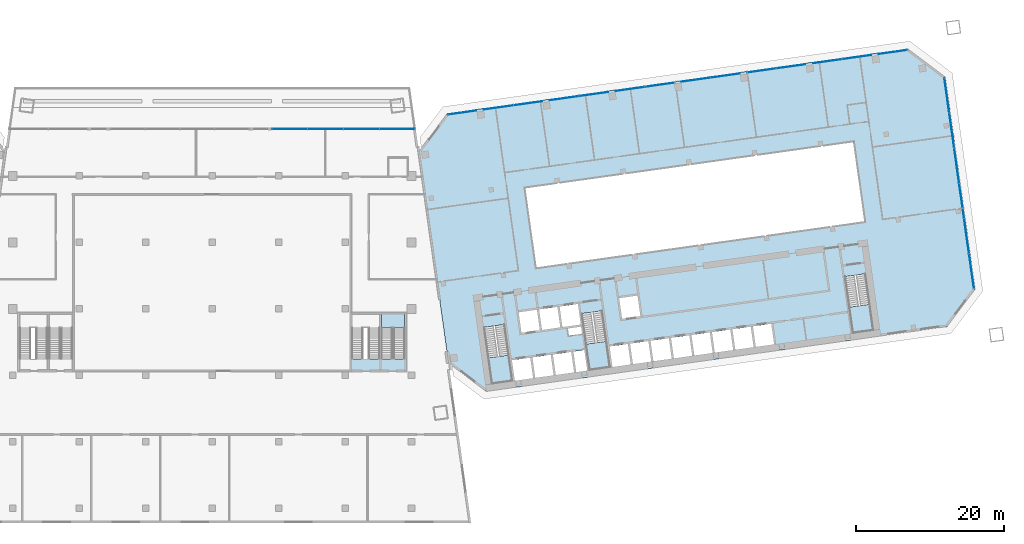
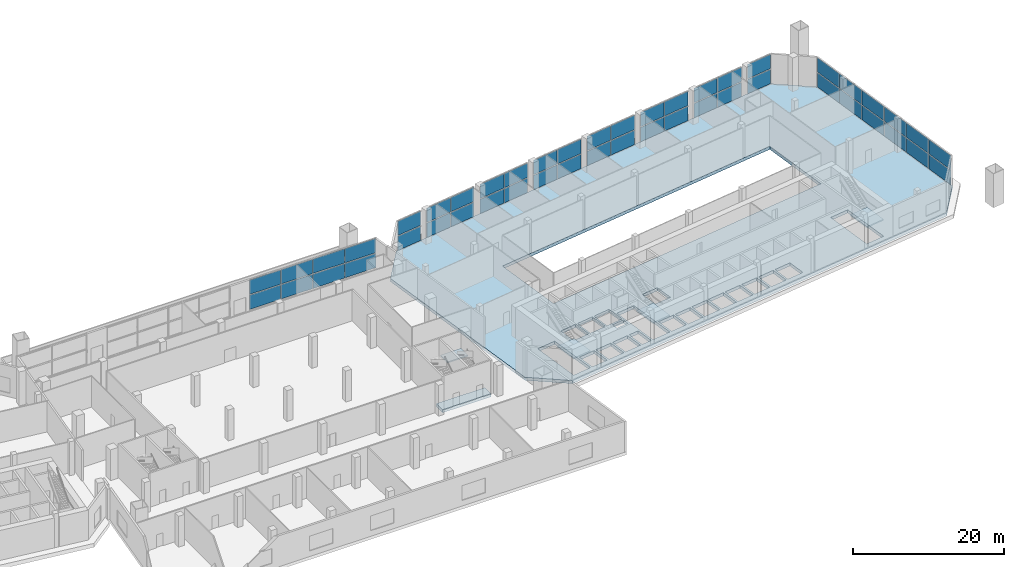
# One storey, part 9 of 23: 48 plates, 6 slabs, 7 elements without a shape of their own.
"""IFC4 building model written with IfcOpenShell, lengths in metres."""

from ifc_helpers import new_model, si_unit, direction, frame, origin, origin_2d, place, context, subcontext, project, spatial, polyline, rectangle, outline, extrude, material, layer, layer_set, type_object, element, aggregate, save


model = new_model("IFC4")

# Units and contexts
model_context = context("Model", 3, precision=1e-05, world=origin(), true_north=direction((0.0, 1.0)))
body_context = subcontext(model_context, "Body", "Model", "MODEL_VIEW")
ifc_project = project(units=[si_unit("LENGTHUNIT", "METRE"), si_unit("AREAUNIT", "SQUARE_METRE"), si_unit("VOLUMEUNIT", "CUBIC_METRE"), si_unit("PLANEANGLEUNIT", "RADIAN"), si_unit("MASSUNIT", "GRAM", prefix="KILO")], contexts=[model_context])

# Site, building, storey
site_placement = place(None, origin())
site = spatial("IfcSite", under=ifc_project, at=site_placement, CompositionType="ELEMENT")
building_placement = place(site_placement, origin())
building = spatial("IfcBuilding", under=site, at=building_placement, Name="Mirante Cascada Hotel Towers", CompositionType="ELEMENT")
storey_placement = place(building_placement, frame((0.0, 0.0, 23.5)))
storey = spatial("IfcBuildingStorey", under=building, at=storey_placement, Name="L03", CompositionType="ELEMENT", Elevation=23.5)

# Curtain wall, plates
ifc_material_1 = material(Name="Aluminium mullion and transom frame with clear laminated glass", Category="aluminium")
curtain_wall_type = type_object("IfcCurtainWallType", Name="Podium curtain wall ECW3", PredefinedType="NOTDEFINED", material=ifc_material_1)
curtain_wall_1_placement = place(storey_placement, origin())
curtain_wall_1 = element("IfcCurtainWall", 1, at=curtain_wall_1_placement, inside=storey, type_object=curtain_wall_type, Name="Front podium glazing T2 L03", PredefinedType="NOTDEFINED")
ifc_material_2 = material(Name="Clear laminated glass", Category="glass")
ifc_layer_1 = layer(ifc_material_2, 0.04)
ifc_layer_set_1 = layer_set([ifc_layer_1], Name="ECW3 glass panel 40")
plate_type = type_object("IfcPlateType", Name="ECW3 glass panel 40", PredefinedType="CURTAIN_PANEL", material=ifc_layer_set_1)
plate_1_placement = place(storey_placement, frame((92.1787, 25.7739, 0.12), z_axis=(0.0, 0.0, 1.0), x_axis=(-0.9902681, -0.1391731, 0.0)))
plate_1 = element("IfcPlate", 2, at=plate_1_placement, type_object=plate_type, Name="ECW3 panel 1", PredefinedType="CURTAIN_PANEL", context=body_context, shape_type="SweptSolid", body=[
    extrude(rectangle(XDim=3.8379, YDim=0.04, at=origin_2d()), origin(), (0.0, 0.0, 1.0), 2.32),
])
plate_2_placement = place(storey_placement, frame((92.1787, 25.7739, 2.56), z_axis=(0.0, 0.0, 1.0), x_axis=(-0.9902681, -0.1391731, 0.0)))
plate_2 = element("IfcPlate", 3, at=plate_2_placement, type_object=plate_type, Name="ECW3 panel 1", PredefinedType="CURTAIN_PANEL", context=body_context, shape_type="SweptSolid", body=[
    extrude(rectangle(XDim=3.8379, YDim=0.04, at=origin_2d()), origin(), (0.0, 0.0, 1.0), 2.32),
])
plate_3_placement = place(storey_placement, frame((87.2757, 25.0848, 0.12), z_axis=(0.0, 0.0, 1.0), x_axis=(-0.9902681, -0.1391731, 0.0)))
plate_3 = element("IfcPlate", 4, at=plate_3_placement, type_object=plate_type, Name="ECW3 panel 2", PredefinedType="CURTAIN_PANEL", context=body_context, shape_type="SweptSolid", body=[
    extrude(rectangle(XDim=3.9844, YDim=0.04, at=origin_2d()), origin(), (0.0, 0.0, 1.0), 2.32),
])
plate_4_placement = place(storey_placement, frame((87.2757, 25.0848, 2.56), z_axis=(0.0, 0.0, 1.0), x_axis=(-0.9902681, -0.1391731, 0.0)))
plate_4 = element("IfcPlate", 5, at=plate_4_placement, type_object=plate_type, Name="ECW3 panel 2", PredefinedType="CURTAIN_PANEL", context=body_context, shape_type="SweptSolid", body=[
    extrude(rectangle(XDim=3.9844, YDim=0.04, at=origin_2d()), origin(), (0.0, 0.0, 1.0), 2.32),
])
plate_5_placement = place(storey_placement, frame((83.2949, 24.5254, 0.12), z_axis=(0.0, 0.0, 1.0), x_axis=(-0.9902681, -0.1391731, 0.0)))
plate_5 = element("IfcPlate", 6, at=plate_5_placement, type_object=plate_type, Name="ECW3 panel 3", PredefinedType="CURTAIN_PANEL", context=body_context, shape_type="SweptSolid", body=[
    extrude(rectangle(XDim=3.8956, YDim=0.04, at=origin_2d()), origin(), (0.0, 0.0, 1.0), 2.32),
])
plate_6_placement = place(storey_placement, frame((83.2949, 24.5254, 2.56), z_axis=(0.0, 0.0, 1.0), x_axis=(-0.9902681, -0.1391731, 0.0)))
plate_6 = element("IfcPlate", 7, at=plate_6_placement, type_object=plate_type, Name="ECW3 panel 3", PredefinedType="CURTAIN_PANEL", context=body_context, shape_type="SweptSolid", body=[
    extrude(rectangle(XDim=3.8956, YDim=0.04, at=origin_2d()), origin(), (0.0, 0.0, 1.0), 2.32),
])
plate_7_placement = place(storey_placement, frame((78.3721, 23.8335, 0.12), z_axis=(0.0, 0.0, 1.0), x_axis=(-0.9902681, -0.1391731, 0.0)))
plate_7 = element("IfcPlate", 8, at=plate_7_placement, type_object=plate_type, Name="ECW3 panel 4", PredefinedType="CURTAIN_PANEL", context=body_context, shape_type="SweptSolid", body=[
    extrude(rectangle(XDim=3.9666, YDim=0.04, at=origin_2d()), origin(), (0.0, 0.0, 1.0), 2.32),
])
plate_8_placement = place(storey_placement, frame((78.3721, 23.8335, 2.56), z_axis=(0.0, 0.0, 1.0), x_axis=(-0.9902681, -0.1391731, 0.0)))
plate_8 = element("IfcPlate", 9, at=plate_8_placement, type_object=plate_type, Name="ECW3 panel 4", PredefinedType="CURTAIN_PANEL", context=body_context, shape_type="SweptSolid", body=[
    extrude(rectangle(XDim=3.9666, YDim=0.04, at=origin_2d()), origin(), (0.0, 0.0, 1.0), 2.32),
])
plate_9_placement = place(storey_placement, frame((74.3912, 23.274, 0.12), z_axis=(0.0, 0.0, 1.0), x_axis=(-0.9902681, -0.1391731, 0.0)))
plate_9 = element("IfcPlate", 10, at=plate_9_placement, type_object=plate_type, Name="ECW3 panel 5", PredefinedType="CURTAIN_PANEL", context=body_context, shape_type="SweptSolid", body=[
    extrude(rectangle(XDim=3.9134, YDim=0.04, at=origin_2d()), origin(), (0.0, 0.0, 1.0), 2.32),
])
plate_10_placement = place(storey_placement, frame((74.3912, 23.274, 2.56), z_axis=(0.0, 0.0, 1.0), x_axis=(-0.9902681, -0.1391731, 0.0)))
plate_10 = element("IfcPlate", 11, at=plate_10_placement, type_object=plate_type, Name="ECW3 panel 5", PredefinedType="CURTAIN_PANEL", context=body_context, shape_type="SweptSolid", body=[
    extrude(rectangle(XDim=3.9134, YDim=0.04, at=origin_2d()), origin(), (0.0, 0.0, 1.0), 2.32),
])
plate_11_placement = place(storey_placement, frame((69.4685, 22.5822, 0.12), z_axis=(0.0, 0.0, 1.0), x_axis=(-0.9902681, -0.1391731, 0.0)))
plate_11 = element("IfcPlate", 12, at=plate_11_placement, type_object=plate_type, Name="ECW3 panel 6", PredefinedType="CURTAIN_PANEL", context=body_context, shape_type="SweptSolid", body=[
    extrude(rectangle(XDim=3.9489, YDim=0.04, at=origin_2d()), origin(), (0.0, 0.0, 1.0), 2.32),
])
plate_12_placement = place(storey_placement, frame((69.4685, 22.5822, 2.56), z_axis=(0.0, 0.0, 1.0), x_axis=(-0.9902681, -0.1391731, 0.0)))
plate_12 = element("IfcPlate", 13, at=plate_12_placement, type_object=plate_type, Name="ECW3 panel 6", PredefinedType="CURTAIN_PANEL", context=body_context, shape_type="SweptSolid", body=[
    extrude(rectangle(XDim=3.9489, YDim=0.04, at=origin_2d()), origin(), (0.0, 0.0, 1.0), 2.32),
])
plate_13_placement = place(storey_placement, frame((65.4876, 22.0227, 0.12), z_axis=(0.0, 0.0, 1.0), x_axis=(-0.9902681, -0.1391731, 0.0)))
plate_13 = element("IfcPlate", 14, at=plate_13_placement, type_object=plate_type, Name="ECW3 panel 7", PredefinedType="CURTAIN_PANEL", context=body_context, shape_type="SweptSolid", body=[
    extrude(rectangle(XDim=3.9311, YDim=0.04, at=origin_2d()), origin(), (0.0, 0.0, 1.0), 2.32),
])
plate_14_placement = place(storey_placement, frame((65.4876, 22.0227, 2.56), z_axis=(0.0, 0.0, 1.0), x_axis=(-0.9902681, -0.1391731, 0.0)))
plate_14 = element("IfcPlate", 15, at=plate_14_placement, type_object=plate_type, Name="ECW3 panel 7", PredefinedType="CURTAIN_PANEL", context=body_context, shape_type="SweptSolid", body=[
    extrude(rectangle(XDim=3.9311, YDim=0.04, at=origin_2d()), origin(), (0.0, 0.0, 1.0), 2.32),
])
plate_15_placement = place(storey_placement, frame((60.5649, 21.3309, 0.12), z_axis=(0.0, 0.0, 1.0), x_axis=(-0.9902681, -0.1391731, 0.0)))
plate_15 = element("IfcPlate", 16, at=plate_15_placement, type_object=plate_type, Name="ECW3 panel 8", PredefinedType="CURTAIN_PANEL", context=body_context, shape_type="SweptSolid", body=[
    extrude(rectangle(XDim=3.9311, YDim=0.04, at=origin_2d()), origin(), (0.0, 0.0, 1.0), 2.32),
])
plate_16_placement = place(storey_placement, frame((60.5649, 21.3309, 2.56), z_axis=(0.0, 0.0, 1.0), x_axis=(-0.9902681, -0.1391731, 0.0)))
plate_16 = element("IfcPlate", 17, at=plate_16_placement, type_object=plate_type, Name="ECW3 panel 8", PredefinedType="CURTAIN_PANEL", context=body_context, shape_type="SweptSolid", body=[
    extrude(rectangle(XDim=3.9311, YDim=0.04, at=origin_2d()), origin(), (0.0, 0.0, 1.0), 2.32),
])
plate_17_placement = place(storey_placement, frame((56.584, 20.7714, 0.12), z_axis=(0.0, 0.0, 1.0), x_axis=(-0.9902681, -0.1391731, 0.0)))
plate_17 = element("IfcPlate", 18, at=plate_17_placement, type_object=plate_type, Name="ECW3 panel 9", PredefinedType="CURTAIN_PANEL", context=body_context, shape_type="SweptSolid", body=[
    extrude(rectangle(XDim=3.9489, YDim=0.04, at=origin_2d()), origin(), (0.0, 0.0, 1.0), 2.32),
])
plate_18_placement = place(storey_placement, frame((56.584, 20.7714, 2.56), z_axis=(0.0, 0.0, 1.0), x_axis=(-0.9902681, -0.1391731, 0.0)))
plate_18 = element("IfcPlate", 19, at=plate_18_placement, type_object=plate_type, Name="ECW3 panel 9", PredefinedType="CURTAIN_PANEL", context=body_context, shape_type="SweptSolid", body=[
    extrude(rectangle(XDim=3.9489, YDim=0.04, at=origin_2d()), origin(), (0.0, 0.0, 1.0), 2.32),
])
plate_19_placement = place(storey_placement, frame((51.6612, 20.0795, 0.12), z_axis=(0.0, 0.0, 1.0), x_axis=(-0.9902681, -0.1391731, 0.0)))
plate_19 = element("IfcPlate", 20, at=plate_19_placement, type_object=plate_type, Name="ECW3 panel 10", PredefinedType="CURTAIN_PANEL", context=body_context, shape_type="SweptSolid", body=[
    extrude(rectangle(XDim=3.9134, YDim=0.04, at=origin_2d()), origin(), (0.0, 0.0, 1.0), 2.32),
])
plate_20_placement = place(storey_placement, frame((51.6612, 20.0795, 2.56), z_axis=(0.0, 0.0, 1.0), x_axis=(-0.9902681, -0.1391731, 0.0)))
plate_20 = element("IfcPlate", 21, at=plate_20_placement, type_object=plate_type, Name="ECW3 panel 10", PredefinedType="CURTAIN_PANEL", context=body_context, shape_type="SweptSolid", body=[
    extrude(rectangle(XDim=3.9134, YDim=0.04, at=origin_2d()), origin(), (0.0, 0.0, 1.0), 2.32),
])
plate_21_placement = place(storey_placement, frame((47.6804, 19.5201, 0.12), z_axis=(0.0, 0.0, 1.0), x_axis=(-0.9902681, -0.1391731, 0.0)))
plate_21 = element("IfcPlate", 22, at=plate_21_placement, type_object=plate_type, Name="ECW3 panel 11", PredefinedType="CURTAIN_PANEL", context=body_context, shape_type="SweptSolid", body=[
    extrude(rectangle(XDim=3.9666, YDim=0.04, at=origin_2d()), origin(), (0.0, 0.0, 1.0), 2.32),
])
plate_22_placement = place(storey_placement, frame((47.6804, 19.5201, 2.56), z_axis=(0.0, 0.0, 1.0), x_axis=(-0.9902681, -0.1391731, 0.0)))
plate_22 = element("IfcPlate", 23, at=plate_22_placement, type_object=plate_type, Name="ECW3 panel 11", PredefinedType="CURTAIN_PANEL", context=body_context, shape_type="SweptSolid", body=[
    extrude(rectangle(XDim=3.9666, YDim=0.04, at=origin_2d()), origin(), (0.0, 0.0, 1.0), 2.32),
])
plate_23_placement = place(storey_placement, frame((42.7576, 18.8282, 0.12), z_axis=(0.0, 0.0, 1.0), x_axis=(-0.9902681, -0.1391731, 0.0)))
plate_23 = element("IfcPlate", 24, at=plate_23_placement, type_object=plate_type, Name="ECW3 panel 12", PredefinedType="CURTAIN_PANEL", context=body_context, shape_type="SweptSolid", body=[
    extrude(rectangle(XDim=3.8956, YDim=0.04, at=origin_2d()), origin(), (0.0, 0.0, 1.0), 2.32),
])
plate_24_placement = place(storey_placement, frame((42.7576, 18.8282, 2.56), z_axis=(0.0, 0.0, 1.0), x_axis=(-0.9902681, -0.1391731, 0.0)))
plate_24 = element("IfcPlate", 25, at=plate_24_placement, type_object=plate_type, Name="ECW3 panel 12", PredefinedType="CURTAIN_PANEL", context=body_context, shape_type="SweptSolid", body=[
    extrude(rectangle(XDim=3.8956, YDim=0.04, at=origin_2d()), origin(), (0.0, 0.0, 1.0), 2.32),
])
plate_25_placement = place(storey_placement, frame((38.7767, 18.2687, 0.12), z_axis=(0.0, 0.0, 1.0), x_axis=(-0.9902681, -0.1391731, 0.0)))
plate_25 = element("IfcPlate", 26, at=plate_25_placement, type_object=plate_type, Name="ECW3 panel 13", PredefinedType="CURTAIN_PANEL", context=body_context, shape_type="SweptSolid", body=[
    extrude(rectangle(XDim=3.9844, YDim=0.04, at=origin_2d()), origin(), (0.0, 0.0, 1.0), 2.32),
])
plate_26_placement = place(storey_placement, frame((38.7767, 18.2687, 2.56), z_axis=(0.0, 0.0, 1.0), x_axis=(-0.9902681, -0.1391731, 0.0)))
plate_26 = element("IfcPlate", 27, at=plate_26_placement, type_object=plate_type, Name="ECW3 panel 13", PredefinedType="CURTAIN_PANEL", context=body_context, shape_type="SweptSolid", body=[
    extrude(rectangle(XDim=3.9844, YDim=0.04, at=origin_2d()), origin(), (0.0, 0.0, 1.0), 2.32),
])
plate_27_placement = place(storey_placement, frame((33.8738, 17.5797, 0.12), z_axis=(0.0, 0.0, 1.0), x_axis=(-0.9902681, -0.1391731, 0.0)))
plate_27 = element("IfcPlate", 28, at=plate_27_placement, type_object=plate_type, Name="ECW3 panel 14", PredefinedType="CURTAIN_PANEL", context=body_context, shape_type="SweptSolid", body=[
    extrude(rectangle(XDim=3.8379, YDim=0.04, at=origin_2d()), origin(), (0.0, 0.0, 1.0), 2.32),
])
plate_28_placement = place(storey_placement, frame((33.8738, 17.5797, 2.56), z_axis=(0.0, 0.0, 1.0), x_axis=(-0.9902681, -0.1391731, 0.0)))
plate_28 = element("IfcPlate", 29, at=plate_28_placement, type_object=plate_type, Name="ECW3 panel 14", PredefinedType="CURTAIN_PANEL", context=body_context, shape_type="SweptSolid", body=[
    extrude(rectangle(XDim=3.8379, YDim=0.04, at=origin_2d()), origin(), (0.0, 0.0, 1.0), 2.32),
])
aggregate(curtain_wall_1, [plate_1, plate_2, plate_3, plate_4, plate_5, plate_6, plate_7, plate_8, plate_9, plate_10, plate_11, plate_12, plate_13, plate_14, plate_15, plate_16, plate_17, plate_18, plate_19, plate_20, plate_21, plate_22, plate_23, plate_24, plate_25, plate_26, plate_27, plate_28])

curtain_wall_2_placement = place(storey_placement, origin())
curtain_wall_2 = element("IfcCurtainWall", 30, at=curtain_wall_2_placement, inside=storey, type_object=curtain_wall_type, Name="Outer end podium glazing T2 L03", PredefinedType="NOTDEFINED")
plate_29_placement = place(storey_placement, frame((102.8224, -3.8951, 0.12), z_axis=(0.0, 0.0, 1.0), x_axis=(-0.1391731, 0.9902681, 0.0)))
plate_29 = element("IfcPlate", 31, at=plate_29_placement, type_object=plate_type, Name="ECW3 panel 1", PredefinedType="CURTAIN_PANEL", context=body_context, shape_type="SweptSolid", body=[
    extrude(rectangle(XDim=4.6926, YDim=0.04, at=origin_2d()), origin(), (0.0, 0.0, 1.0), 2.32),
])
plate_30_placement = place(storey_placement, frame((102.8224, -3.8951, 2.56), z_axis=(0.0, 0.0, 1.0), x_axis=(-0.1391731, 0.9902681, 0.0)))
plate_30 = element("IfcPlate", 32, at=plate_30_placement, type_object=plate_type, Name="ECW3 panel 1", PredefinedType="CURTAIN_PANEL", context=body_context, shape_type="SweptSolid", body=[
    extrude(rectangle(XDim=4.6926, YDim=0.04, at=origin_2d()), origin(), (0.0, 0.0, 1.0), 2.32),
])
plate_31_placement = place(storey_placement, frame((102.1554, 0.8509, 0.12), z_axis=(0.0, 0.0, 1.0), x_axis=(-0.1391731, 0.9902681, 0.0)))
plate_31 = element("IfcPlate", 33, at=plate_31_placement, type_object=plate_type, Name="ECW3 panel 2", PredefinedType="CURTAIN_PANEL", context=body_context, shape_type="SweptSolid", body=[
    extrude(rectangle(XDim=4.7326, YDim=0.04, at=origin_2d()), origin(), (0.0, 0.0, 1.0), 2.32),
])
plate_32_placement = place(storey_placement, frame((102.1554, 0.8509, 2.56), z_axis=(0.0, 0.0, 1.0), x_axis=(-0.1391731, 0.9902681, 0.0)))
plate_32 = element("IfcPlate", 34, at=plate_32_placement, type_object=plate_type, Name="ECW3 panel 2", PredefinedType="CURTAIN_PANEL", context=body_context, shape_type="SweptSolid", body=[
    extrude(rectangle(XDim=4.7326, YDim=0.04, at=origin_2d()), origin(), (0.0, 0.0, 1.0), 2.32),
])
plate_33_placement = place(storey_placement, frame((101.4857, 5.6167, 0.12), z_axis=(0.0, 0.0, 1.0), x_axis=(-0.1391731, 0.9902681, 0.0)))
plate_33 = element("IfcPlate", 35, at=plate_33_placement, type_object=plate_type, Name="ECW3 panel 3", PredefinedType="CURTAIN_PANEL", context=body_context, shape_type="SweptSolid", body=[
    extrude(rectangle(XDim=4.7326, YDim=0.04, at=origin_2d()), origin(), (0.0, 0.0, 1.0), 2.32),
])
plate_34_placement = place(storey_placement, frame((101.4857, 5.6167, 2.56), z_axis=(0.0, 0.0, 1.0), x_axis=(-0.1391731, 0.9902681, 0.0)))
plate_34 = element("IfcPlate", 36, at=plate_34_placement, type_object=plate_type, Name="ECW3 panel 3", PredefinedType="CURTAIN_PANEL", context=body_context, shape_type="SweptSolid", body=[
    extrude(rectangle(XDim=4.7326, YDim=0.04, at=origin_2d()), origin(), (0.0, 0.0, 1.0), 2.32),
])
plate_35_placement = place(storey_placement, frame((100.8159, 10.3825, 0.12), z_axis=(0.0, 0.0, 1.0), x_axis=(-0.1391731, 0.9902681, 0.0)))
plate_35 = element("IfcPlate", 37, at=plate_35_placement, type_object=plate_type, Name="ECW3 panel 4", PredefinedType="CURTAIN_PANEL", context=body_context, shape_type="SweptSolid", body=[
    extrude(rectangle(XDim=4.7326, YDim=0.04, at=origin_2d()), origin(), (0.0, 0.0, 1.0), 2.32),
])
plate_36_placement = place(storey_placement, frame((100.8159, 10.3825, 2.56), z_axis=(0.0, 0.0, 1.0), x_axis=(-0.1391731, 0.9902681, 0.0)))
plate_36 = element("IfcPlate", 38, at=plate_36_placement, type_object=plate_type, Name="ECW3 panel 4", PredefinedType="CURTAIN_PANEL", context=body_context, shape_type="SweptSolid", body=[
    extrude(rectangle(XDim=4.7326, YDim=0.04, at=origin_2d()), origin(), (0.0, 0.0, 1.0), 2.32),
])
plate_37_placement = place(storey_placement, frame((100.1461, 15.1483, 0.12), z_axis=(0.0, 0.0, 1.0), x_axis=(-0.1391731, 0.9902681, 0.0)))
plate_37 = element("IfcPlate", 39, at=plate_37_placement, type_object=plate_type, Name="ECW3 panel 5", PredefinedType="CURTAIN_PANEL", context=body_context, shape_type="SweptSolid", body=[
    extrude(rectangle(XDim=4.7326, YDim=0.04, at=origin_2d()), origin(), (0.0, 0.0, 1.0), 2.32),
])
plate_38_placement = place(storey_placement, frame((100.1461, 15.1483, 2.56), z_axis=(0.0, 0.0, 1.0), x_axis=(-0.1391731, 0.9902681, 0.0)))
plate_38 = element("IfcPlate", 40, at=plate_38_placement, type_object=plate_type, Name="ECW3 panel 5", PredefinedType="CURTAIN_PANEL", context=body_context, shape_type="SweptSolid", body=[
    extrude(rectangle(XDim=4.7326, YDim=0.04, at=origin_2d()), origin(), (0.0, 0.0, 1.0), 2.32),
])
plate_39_placement = place(storey_placement, frame((99.4791, 19.8942, 0.12), z_axis=(0.0, 0.0, 1.0), x_axis=(-0.1391731, 0.9902681, 0.0)))
plate_39 = element("IfcPlate", 41, at=plate_39_placement, type_object=plate_type, Name="ECW3 panel 6", PredefinedType="CURTAIN_PANEL", context=body_context, shape_type="SweptSolid", body=[
    extrude(rectangle(XDim=4.6926, YDim=0.04, at=origin_2d()), origin(), (0.0, 0.0, 1.0), 2.32),
])
plate_40_placement = place(storey_placement, frame((99.4791, 19.8942, 2.56), z_axis=(0.0, 0.0, 1.0), x_axis=(-0.1391731, 0.9902681, 0.0)))
plate_40 = element("IfcPlate", 42, at=plate_40_placement, type_object=plate_type, Name="ECW3 panel 6", PredefinedType="CURTAIN_PANEL", context=body_context, shape_type="SweptSolid", body=[
    extrude(rectangle(XDim=4.6926, YDim=0.04, at=origin_2d()), origin(), (0.0, 0.0, 1.0), 2.32),
])
aggregate(curtain_wall_2, [plate_29, plate_30, plate_31, plate_32, plate_33, plate_34, plate_35, plate_36, plate_37, plate_38, plate_39, plate_40])

curtain_wall_3_placement = place(storey_placement, origin())
curtain_wall_3 = element("IfcCurtainWall", 43, at=curtain_wall_3_placement, inside=storey, type_object=curtain_wall_type, Name="Podium curtain wall L03 run 3.1", PredefinedType="NOTDEFINED")
plate_41_placement = place(storey_placement, frame((25.0867, 15.35, 0.12), z_axis=(0.0, 0.0, 1.0), x_axis=(-1.0, 0.0, 0.0)))
plate_41 = element("IfcPlate", 44, at=plate_41_placement, type_object=plate_type, Name="ECW3 panel 1", PredefinedType="CURTAIN_PANEL", context=body_context, shape_type="SweptSolid", body=[
    extrude(rectangle(XDim=4.7476, YDim=0.04, at=origin_2d()), origin(), (0.0, 0.0, 1.0), 2.32),
])
plate_42_placement = place(storey_placement, frame((25.0867, 15.35, 2.56), z_axis=(0.0, 0.0, 1.0), x_axis=(-1.0, 0.0, 0.0)))
plate_42 = element("IfcPlate", 45, at=plate_42_placement, type_object=plate_type, Name="ECW3 panel 1", PredefinedType="CURTAIN_PANEL", context=body_context, shape_type="SweptSolid", body=[
    extrude(rectangle(XDim=4.7476, YDim=0.04, at=origin_2d()), origin(), (0.0, 0.0, 1.0), 2.32),
])
plate_43_placement = place(storey_placement, frame((20.2391, 15.35, 0.12), z_axis=(0.0, 0.0, 1.0), x_axis=(-1.0, 0.0, 0.0)))
plate_43 = element("IfcPlate", 46, at=plate_43_placement, type_object=plate_type, Name="ECW3 panel 2", PredefinedType="CURTAIN_PANEL", context=body_context, shape_type="SweptSolid", body=[
    extrude(rectangle(XDim=4.7876, YDim=0.04, at=origin_2d()), origin(), (0.0, 0.0, 1.0), 2.32),
])
plate_44_placement = place(storey_placement, frame((20.2391, 15.35, 2.56), z_axis=(0.0, 0.0, 1.0), x_axis=(-1.0, 0.0, 0.0)))
plate_44 = element("IfcPlate", 47, at=plate_44_placement, type_object=plate_type, Name="ECW3 panel 2", PredefinedType="CURTAIN_PANEL", context=body_context, shape_type="SweptSolid", body=[
    extrude(rectangle(XDim=4.7876, YDim=0.04, at=origin_2d()), origin(), (0.0, 0.0, 1.0), 2.32),
])
plate_45_placement = place(storey_placement, frame((15.3715, 15.35, 0.12), z_axis=(0.0, 0.0, 1.0), x_axis=(-1.0, 0.0, 0.0)))
plate_45 = element("IfcPlate", 48, at=plate_45_placement, type_object=plate_type, Name="ECW3 panel 3", PredefinedType="CURTAIN_PANEL", context=body_context, shape_type="SweptSolid", body=[
    extrude(rectangle(XDim=4.7876, YDim=0.04, at=origin_2d()), origin(), (0.0, 0.0, 1.0), 2.32),
])
plate_46_placement = place(storey_placement, frame((15.3715, 15.35, 2.56), z_axis=(0.0, 0.0, 1.0), x_axis=(-1.0, 0.0, 0.0)))
plate_46 = element("IfcPlate", 49, at=plate_46_placement, type_object=plate_type, Name="ECW3 panel 3", PredefinedType="CURTAIN_PANEL", context=body_context, shape_type="SweptSolid", body=[
    extrude(rectangle(XDim=4.7876, YDim=0.04, at=origin_2d()), origin(), (0.0, 0.0, 1.0), 2.32),
])
plate_47_placement = place(storey_placement, frame((10.5238, 15.35, 0.12), z_axis=(0.0, 0.0, 1.0), x_axis=(-1.0, 0.0, 0.0)))
plate_47 = element("IfcPlate", 50, at=plate_47_placement, type_object=plate_type, Name="ECW3 panel 4", PredefinedType="CURTAIN_PANEL", context=body_context, shape_type="SweptSolid", body=[
    extrude(rectangle(XDim=4.7476, YDim=0.04, at=origin_2d()), origin(), (0.0, 0.0, 1.0), 2.32),
])
plate_48_placement = place(storey_placement, frame((10.5238, 15.35, 2.56), z_axis=(0.0, 0.0, 1.0), x_axis=(-1.0, 0.0, 0.0)))
plate_48 = element("IfcPlate", 51, at=plate_48_placement, type_object=plate_type, Name="ECW3 panel 4", PredefinedType="CURTAIN_PANEL", context=body_context, shape_type="SweptSolid", body=[
    extrude(rectangle(XDim=4.7476, YDim=0.04, at=origin_2d()), origin(), (0.0, 0.0, 1.0), 2.32),
])
aggregate(curtain_wall_3, [plate_41, plate_42, plate_43, plate_44, plate_45, plate_46, plate_47, plate_48])

# Stair, slab
ifc_material_3 = material(Name="Concrete C35/45", Category="concrete")
stair_type_1 = type_object("IfcStairType", Name="Exit stair half-turn 1350 concrete C35/45", PredefinedType="HALF_TURN_STAIR", material=ifc_material_3)
stair_1_placement = place(storey_placement, origin())
stair_1 = element("IfcStair", 52, at=stair_1_placement, inside=storey, type_object=stair_type_1, Name="L03 Exit stair A", PredefinedType="HALF_TURN_STAIR")
ifc_material_4 = material(Name="Concrete C35/45", Category="concrete")
ifc_layer_2 = layer(ifc_material_4, 0.2)
ifc_layer_set_2 = layer_set([ifc_layer_2], Name="Exit stair landing 200 concrete C35/45")
slab_type_1 = type_object("IfcSlabType", Name="Exit stair landing 200 concrete C35/45", PredefinedType="LANDING", material=ifc_layer_set_2)
slab_1_placement = place(storey_placement, frame((0.0, 0.0, 2.55)))
slab_1 = element("IfcSlab", 53, at=slab_1_placement, type_object=slab_type_1, Name="ST2-A landing 1", PredefinedType="LANDING", context=body_context, shape_type="SweptSolid", body=[
    extrude(outline(polyline([(37.3713, -15.6489), (37.8665, -19.1723), (40.6887, -18.7757), (40.1936, -15.2523), (37.3713, -15.6489)])), origin(), (0.0, 0.0, 1.0), 0.2),
])
aggregate(stair_1, [slab_1])

stair_2_placement = place(storey_placement, origin())
stair_2 = element("IfcStair", 54, at=stair_2_placement, inside=storey, type_object=stair_type_1, Name="L03 Exit stair B", PredefinedType="HALF_TURN_STAIR")
slab_2_placement = place(storey_placement, frame((0.0, 0.0, 2.55)))
slab_2 = element("IfcSlab", 55, at=slab_2_placement, type_object=slab_type_1, Name="ST2-B landing 1", PredefinedType="LANDING", context=body_context, shape_type="SweptSolid", body=[
    extrude(outline(polyline([(50.5914, -13.791), (51.0866, -17.3144), (53.9088, -16.9177), (53.4136, -13.3943), (50.5914, -13.791)])), origin(), (0.0, 0.0, 1.0), 0.2),
])
aggregate(stair_2, [slab_2])

stair_3_placement = place(storey_placement, origin())
stair_3 = element("IfcStair", 56, at=stair_3_placement, inside=storey, type_object=stair_type_1, Name="L03 Exit stair C", PredefinedType="HALF_TURN_STAIR")
slab_3_placement = place(storey_placement, frame((0.0, 0.0, 2.55)))
slab_3 = element("IfcSlab", 57, at=slab_3_placement, type_object=slab_type_1, Name="ST2-C landing 1", PredefinedType="LANDING", context=body_context, shape_type="SweptSolid", body=[
    extrude(outline(polyline([(86.241, -8.7808), (86.7362, -12.3041), (89.5585, -11.9075), (89.0633, -8.3841), (86.241, -8.7808)])), origin(), (0.0, 0.0, 1.0), 0.2),
])
aggregate(stair_3, [slab_3])

ifc_material_5 = material(Name="Concrete C35/45", Category="concrete")
stair_type_2 = type_object("IfcStairType", Name="Podium exit stair half-turn 1500 concrete C35/45", PredefinedType="HALF_TURN_STAIR", material=ifc_material_5)
stair_4_placement = place(storey_placement, origin())
stair_4 = element("IfcStair", 58, at=stair_4_placement, inside=storey, type_object=stair_type_2, Name="L03 Podium exit stair 4", PredefinedType="HALF_TURN_STAIR")
ifc_material_6 = material(Name="Concrete C35/45", Category="concrete")
ifc_layer_3 = layer(ifc_material_6, 0.2)
ifc_layer_set_3 = layer_set([ifc_layer_3], Name="Podium exit stair landing 200 concrete C35/45")
slab_type_2 = type_object("IfcSlabType", Name="Podium exit stair landing 200 concrete C35/45", PredefinedType="LANDING", material=ifc_layer_set_3)
slab_4_placement = place(storey_placement, frame((0.0, 0.0, 2.55)))
slab_4 = element("IfcSlab", 59, at=slab_4_placement, type_object=slab_type_2, Name="PS2 landing 1", PredefinedType="LANDING", context=body_context, shape_type="SweptSolid", body=[
    extrude(outline(polyline([(26.075, -11.575), (26.075, -9.725), (22.925, -9.725), (22.925, -11.575), (26.075, -11.575)])), origin(), (0.0, 0.0, 1.0), 0.2),
])
aggregate(stair_4, [slab_4])

# Slabs
ifc_material_7 = material(Name="Concrete C40/50", Category="concrete")
ifc_layer_4 = layer(ifc_material_7, 0.5)
ifc_layer_set_4 = layer_set([ifc_layer_4], Name="Post-tensioned flat plate 500 Concrete C40/50")
slab_type_3 = type_object("IfcSlabType", Name="Post-tensioned flat plate 500 Concrete C40/50", PredefinedType="FLOOR", material=ifc_layer_set_4)
slab_5_placement = place(storey_placement, frame((0.0, 0.0, -0.5)))
element("IfcSlab", 60, at=slab_5_placement, inside=storey, type_object=slab_type_3, Name="Floor T2 L03", PredefinedType="FLOOR", context=body_context, shape_type="SweptSolid", body=[
    extrude(outline(polyline([(32.018, -16.3589), (27.982, 12.3589), (31.8119, 17.4414), (94.1988, 26.2093), (99.2813, 22.3794), (103.3173, -6.3384), (99.4874, -11.4209), (37.1005, -20.1888), (32.018, -16.3589)]), holes=[polyline([(43.0718, -15.6132), (40.5961, -15.9612), (40.9858, -18.7339), (43.4615, -18.386), (43.0718, -15.6132)]), polyline([(45.8446, -15.2236), (43.3689, -15.5715), (43.7586, -18.3442), (46.2342, -17.9963), (45.8446, -15.2236)]), polyline([(48.6173, -14.8339), (46.1416, -15.1818), (46.5313, -17.9546), (49.007, -17.6066), (48.6173, -14.8339)]), polyline([(50.7895, -17.3561), (50.3998, -14.5834), (48.9144, -14.7921), (49.3041, -17.5649), (50.7895, -17.3561)]), polyline([(56.6816, -16.528), (56.2919, -13.7553), (53.8162, -14.1032), (54.2059, -16.876), (56.6816, -16.528)]), polyline([(37.8665, -19.1723), (40.6887, -18.7757), (39.611, -11.107), (36.7887, -11.5037), (37.8665, -19.1723)]), polyline([(51.0866, -17.3144), (53.9088, -16.9177), (52.8311, -9.2491), (50.0088, -9.6457), (51.0866, -17.3144)]), polyline([(49.9544, -11.4145), (48.1472, -11.6685), (48.2829, -12.634), (50.0901, -12.38), (49.9544, -11.4145)]), polyline([(44.3672, -11.8968), (43.9775, -9.124), (41.5018, -9.472), (41.8915, -12.2447), (44.3672, -11.8968)]), polyline([(47.1399, -11.5071), (46.7503, -8.7344), (44.2746, -9.0823), (44.6643, -11.855), (47.1399, -11.5071)]), polyline([(49.523, -8.3447), (47.0473, -8.6926), (47.437, -11.4654), (49.9127, -11.1174), (49.523, -8.3447)]), polyline([(59.0646, -13.3656), (56.589, -13.7135), (56.9787, -16.4863), (59.4543, -16.1383), (59.0646, -13.3656)]), polyline([(61.8374, -12.9759), (59.3617, -13.3238), (59.7514, -16.0966), (62.2271, -15.7487), (61.8374, -12.9759)]), polyline([(64.9998, -15.359), (64.6101, -12.5862), (62.1345, -12.9342), (62.5242, -15.7069), (64.9998, -15.359)]), polyline([(67.7726, -14.9693), (67.3829, -12.1965), (64.9072, -12.5445), (65.2969, -15.3172), (67.7726, -14.9693)]), polyline([(70.1556, -11.8069), (67.68, -12.1548), (68.0697, -14.9275), (70.5453, -14.5796), (70.1556, -11.8069)]), polyline([(73.3181, -14.1899), (72.9284, -11.4172), (70.4527, -11.7651), (70.8424, -14.5379), (73.3181, -14.1899)]), polyline([(76.0908, -13.8002), (75.7011, -11.0275), (73.2255, -11.3754), (73.6152, -14.1482), (76.0908, -13.8002)]), polyline([(86.7362, -12.3041), (89.5585, -11.9075), (88.4807, -4.2388), (85.6585, -4.6355), (86.7362, -12.3041)]), polyline([(57.9834, -9.9832), (57.5937, -7.2104), (55.118, -7.5583), (55.5077, -10.3311), (57.9834, -9.9832)]), polyline([(88.4039, 2.7747), (86.873, 13.6677), (42.3109, 7.4049), (43.8418, -3.4881), (88.4039, 2.7747)])]), origin(), (0.0, 0.0, 1.0), 0.5),
])
ifc_material_8 = material(Name="Concrete C35/45", Category="concrete")
ifc_layer_5 = layer(ifc_material_8, 0.5)
ifc_layer_set_5 = layer_set([ifc_layer_5], Name="Stair floor landing 500 concrete C35/45")
slab_type_4 = type_object("IfcSlabType", Name="Stair floor landing 500 concrete C35/45", PredefinedType="LANDING", material=ifc_layer_set_5)
slab_6_placement = place(storey_placement, frame((0.0, 0.0, -0.5)))
element("IfcSlab", 61, at=slab_6_placement, inside=storey, type_object=slab_type_4, Name="Exit stair 4 floor landing L03", PredefinedType="LANDING", context=body_context, shape_type="SweptSolid", body=[
    extrude(outline(polyline([(18.8, -17.4), (26.2, -17.4), (26.2, -15.775), (18.8, -15.775), (18.8, -17.4)])), origin(), (0.0, 0.0, 1.0), 0.5),
])

save(model, "model.ifc")
